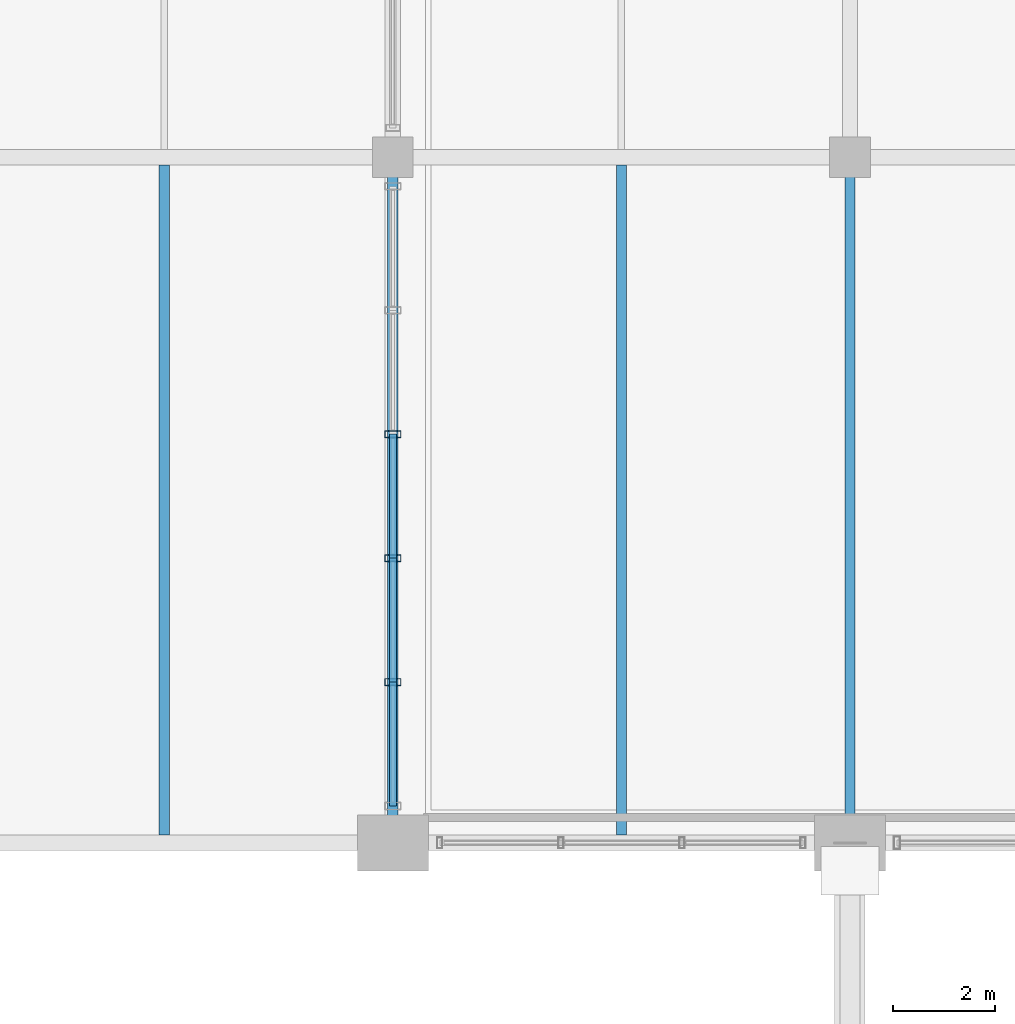
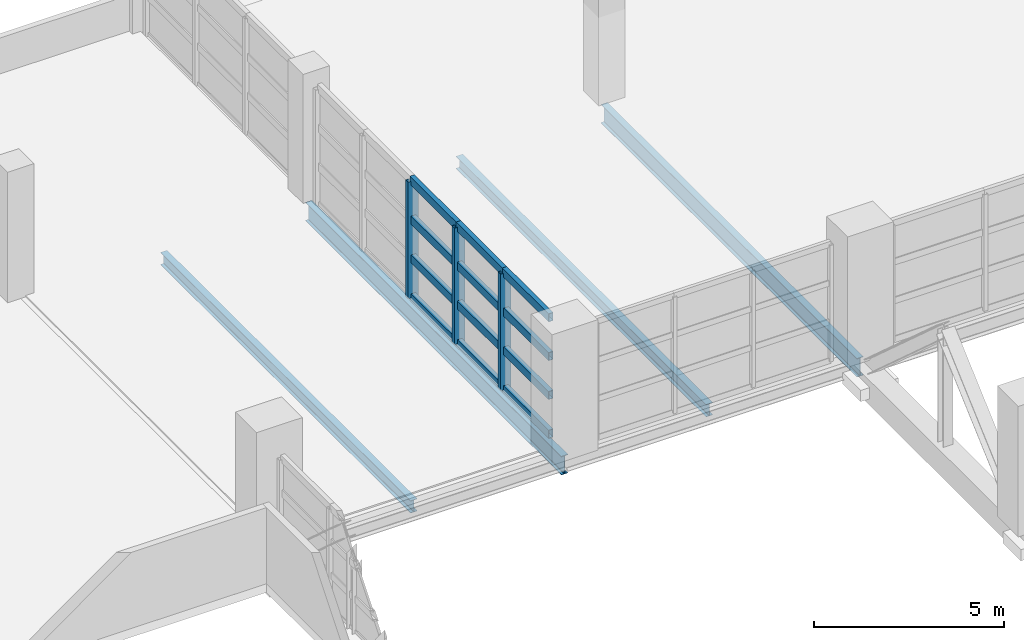
# One storey, part 53 of 136: 15 members, 4 beams, 1 element without a shape of its own.
"""IFC4 building model written with IfcOpenShell, lengths in metres."""

import ifcopenshell
import ifcopenshell.guid

model = None  # the IFC model being written
_history = None  # IfcOwnerHistory: only IFC2X3 demands one
_inside = {}  # id of a spatial element -> (the spatial element, [elements in it])
_under = {}  # id of a project, library or spatial element -> (it, [spatial elements below it])
_declared = {}  # id of a project -> (the project, [libraries it declares])
_typed = {}  # id of a type object -> (the type object, [elements of that type])
_made_of = {}  # id of a material, layer set ... -> (it, [elements and type objects made of it])


def new_model(schema):
    """Start an empty IFC model of exactly this schema.

    Asked for "IFC4X3", IfcOpenShell would pick the latest addendum, in which some entities
    have other attributes; the version numbers below select the first issue.
    IFC2X3 requires an IfcOwnerHistory on every rooted entity: one is made here for all.
    """
    global model, _history
    if schema == "IFC4X3":
        model = ifcopenshell.file(schema_version=(4, 3, 0, 0))
    else:
        model = ifcopenshell.file(schema=schema)
    _inside.clear()
    _under.clear()
    _declared.clear()
    _typed.clear()
    _made_of.clear()
    _history = None
    if model.schema == "IFC2X3":
        org = make("IfcOrganization", Name="unknown")
        user = make(
            "IfcPersonAndOrganization",
            ThePerson=make("IfcPerson", FamilyName="unknown"),
            TheOrganization=org,
        )
        app = make(
            "IfcApplication",
            ApplicationDeveloper=org,
            Version="unknown",
            ApplicationFullName="unknown",
            ApplicationIdentifier="unknown",
        )
        _history = make(
            "IfcOwnerHistory",
            OwningUser=user,
            OwningApplication=app,
            ChangeAction="ADDED",
            CreationDate=0,
        )
    return model


def make(cls, **values):
    """One entity of the class cls with the attributes given. An attribute that is None is left unset."""
    return model.create_entity(
        cls, **{name: value for name, value in values.items() if value is not None}
    )


def rooted(cls, **values):
    """An entity with a GlobalId (a new one), such as an element, a storey or a relation."""
    return make(cls, GlobalId=ifcopenshell.guid.new(), OwnerHistory=_history, **values)


def si_unit(unit_type, name, prefix=None):
    """IfcSIUnit, for example si_unit("LENGTHUNIT", "METRE", prefix="MILLI")."""
    return make("IfcSIUnit", UnitType=unit_type, Prefix=prefix, Name=name)


def assignment(units):
    """IfcUnitAssignment: the units of a project."""
    return None if units is None else make("IfcUnitAssignment", Units=units)


def point(xyz):
    """IfcCartesianPoint."""
    return None if xyz is None else make("IfcCartesianPoint", Coordinates=xyz)


def direction(xyz):
    """IfcDirection."""
    return None if xyz is None else make("IfcDirection", DirectionRatios=xyz)


def frame(location, z_axis=None, x_axis=None):
    """IfcAxis2Placement3D, a coordinate frame: its origin and axes. An axis left out is left unset."""
    return make(
        "IfcAxis2Placement3D",
        Location=point(location),
        Axis=direction(z_axis),
        RefDirection=direction(x_axis),
    )


def frame_2d(location, x_axis=None):
    """IfcAxis2Placement2D, a coordinate frame in the plane: its origin and x axis."""
    return make(
        "IfcAxis2Placement2D", Location=point(location), RefDirection=direction(x_axis)
    )


def origin():
    """The frame at (0, 0, 0) with its axes left unset."""
    return frame((0.0, 0.0, 0.0))


def origin_2d():
    """The frame at (0, 0) in the plane with its x axis left unset."""
    return frame_2d((0.0, 0.0))


def place(relative_to, where):
    """IfcLocalPlacement: puts the frame where relative to a parent placement (None: the world)."""
    return make(
        "IfcLocalPlacement", PlacementRelTo=relative_to, RelativePlacement=where
    )


def context(
    kind, dimensions, precision=None, world=None, true_north=None, identifier=None
):
    """IfcGeometricRepresentationContext, for example the 3D "Model" context."""
    return make(
        "IfcGeometricRepresentationContext",
        ContextIdentifier=identifier,
        ContextType=kind,
        CoordinateSpaceDimension=dimensions,
        Precision=precision,
        WorldCoordinateSystem=world,
        TrueNorth=true_north,
    )


def subcontext(parent, identifier, kind, view, scale=None):
    """IfcGeometricRepresentationSubContext, for example "Body" below "Model"."""
    return make(
        "IfcGeometricRepresentationSubContext",
        ContextIdentifier=identifier,
        ContextType=kind,
        ParentContext=parent,
        TargetScale=scale,
        TargetView=view,
    )


def project(units=None, contexts=None):
    """IfcProject with its units and contexts."""
    return rooted(
        "IfcProject",
        Name="project",
        RepresentationContexts=contexts,
        UnitsInContext=assignment(units),
    )


def spatial(cls, under=None, at=None, **own):
    """A site, building, storey or space (cls), placed at a placement, below another one or the project."""
    s = rooted(cls, ObjectPlacement=at, **own)
    if under is not None:
        _under.setdefault(under.id(), (under, []))[1].append(s)
    return s


def profile(cls, at=None, kind="AREA", **sizes):
    """A parametric profile (cls). Its sizes go by their IFC names, for example OverallWidth=200.0."""
    return make(cls, ProfileType=kind, Position=at, **sizes)


def hollow_rectangle(**sizes):
    """IfcRectangleHollowProfileDef."""
    return profile("IfcRectangleHollowProfileDef", **sizes)


def i_section(**sizes):
    """IfcIShapeProfileDef."""
    return profile("IfcIShapeProfileDef", **sizes)


def extrude(swept, where, along, depth):
    """IfcExtrudedAreaSolid: the profile swept, set in the frame where, extruded along a direction by depth."""
    return make(
        "IfcExtrudedAreaSolid",
        SweptArea=swept,
        Position=where,
        ExtrudedDirection=direction(along),
        Depth=depth,
    )


def shape(context_of_items, identifier, shape_type, items):
    """IfcShapeRepresentation: the items that make up one representation, for example the "Body"."""
    return make(
        "IfcShapeRepresentation",
        ContextOfItems=context_of_items,
        RepresentationIdentifier=identifier,
        RepresentationType=shape_type,
        Items=items,
    )


def material(Name=None, Category=None):
    """IfcMaterial."""
    return make("IfcMaterial", Name=Name, Category=Category)


def material_profile(
    of_material, cross_section, Name=None, Category=None, Priority=None
):
    """IfcMaterialProfile: a cross section and its material."""
    return make(
        "IfcMaterialProfile",
        Name=Name,
        Material=of_material,
        Profile=cross_section,
        Priority=Priority,
        Category=Category,
    )


def profile_set(profiles, Name=None, composite=None):
    """IfcMaterialProfileSet."""
    return make(
        "IfcMaterialProfileSet",
        Name=Name,
        MaterialProfiles=profiles,
        CompositeProfile=composite,
    )


def made_of(thing, what):
    """Note that an element or type object is made of a material, layer set ...; save() writes the relation."""
    if what is not None:
        _made_of.setdefault(what.id(), (what, []))[1].append(thing)
    return thing


def type_object(cls, material=None, **own):
    """A type object (cls), such as IfcWallType, which elements share."""
    return made_of(rooted(cls, **own), material)


def element(
    cls,
    number,
    at=None,
    inside=None,
    cuts=None,
    type_object=None,
    material=None,
    context=None,
    identifier="Body",
    shape_type=None,
    held_by="IfcProductDefinitionShape",
    body=None,
    shapes=None,
    **own,
):
    """One element of the class cls, such as IfcWall. Its Tag is "e" and its number.

    at: its placement. inside: the storey or other place that contains it. cuts: it is an
    opening in that element (IfcRelVoidsElement). A single representation is given by context,
    identifier, shape_type and body (its items); several are given by shapes. held_by: the class
    of the entity that holds the representations. save() writes the other relations.
    """
    e = rooted(cls, Tag="e%d" % number, ObjectPlacement=at, **own)
    if body is not None:
        shapes = [shape(context, identifier, shape_type, body)]
    if shapes is not None:
        e.Representation = make(held_by, Representations=shapes)
    if inside is not None:
        _inside.setdefault(inside.id(), (inside, []))[1].append(e)
    if cuts is not None:
        rooted(
            "IfcRelVoidsElement", RelatingBuildingElement=cuts, RelatedOpeningElement=e
        )
    if type_object is not None:
        _typed.setdefault(type_object.id(), (type_object, []))[1].append(e)
    return made_of(e, material)


def aggregate(whole, parts):
    """IfcRelAggregates: a whole, such as a stair, and the parts it consists of."""
    return rooted("IfcRelAggregates", RelatingObject=whole, RelatedObjects=parts)


def save(model, path):
    """Write the relations noted so far, then the file.

    IfcRelAggregates (storeys below a building ...), IfcRelContainedInSpatialStructure (elements
    in a storey), IfcRelDefinesByType, IfcRelAssociatesMaterial and IfcRelDeclares: one each for
    every whole, place, type object, material and project.
    """
    for whole, parts in _under.values():
        aggregate(whole, parts)
    for where, things in _inside.values():
        rooted(
            "IfcRelContainedInSpatialStructure",
            RelatedElements=things,
            RelatingStructure=where,
        )
    for kind, things in _typed.values():
        rooted("IfcRelDefinesByType", RelatedObjects=things, RelatingType=kind)
    for what, things in _made_of.values():
        rooted("IfcRelAssociatesMaterial", RelatedObjects=things, RelatingMaterial=what)
    for by, libraries in _declared.values():
        rooted("IfcRelDeclares", RelatingContext=by, RelatedDefinitions=libraries)
    model.write(path)


model = new_model("IFC4")

# Units and contexts
model_context = context("Model", 3, precision=1e-05, world=origin(), true_north=direction((0.0, 1.0)))
body_context = subcontext(model_context, "Body", "Model", "MODEL_VIEW")
ifc_project = project(units=[si_unit("LENGTHUNIT", "METRE"), si_unit("AREAUNIT", "SQUARE_METRE"), si_unit("VOLUMEUNIT", "CUBIC_METRE"), si_unit("PLANEANGLEUNIT", "RADIAN"), si_unit("MASSUNIT", "GRAM", prefix="KILO")], contexts=[model_context])

# Site, building, storey
site_placement = place(None, origin())
site = spatial("IfcSite", under=ifc_project, at=site_placement, CompositionType="ELEMENT")
building_placement = place(site_placement, origin())
building = spatial("IfcBuilding", under=site, at=building_placement, Name="Chuanluo Vaults Station", CompositionType="ELEMENT")
storey_placement = place(building_placement, frame((0.0, 0.0, 6.60009765625)))
storey = spatial("IfcBuildingStorey", under=building, at=storey_placement, Name="L01", CompositionType="ELEMENT", Elevation=6.60009765625)

# Beams
ifc_material_1 = material(Name="Steel Q355C", Category="steel")
ifc_material_profile_1 = material_profile(ifc_material_1, i_section(OverallWidth=0.199951171875, OverallDepth=0.60009765625, WebThickness=0.010986328125, FlangeThickness=0.01708984375, FilletRadius=0.01806640625, at=origin_2d()))
ifc_profile_set_1 = profile_set([ifc_material_profile_1], Name="Steel Q355C")
beam_type_1 = type_object("IfcBeamType", Name="BM-GRD-600", PredefinedType="USERDEFINED", material=ifc_profile_set_1)
for number, where, z_axis, x_axis, name in (
    (1, (117.0, 103.5, -0.56005859375), (0.0, 1.0, 0.0), (-1.0, 0.0, 0.0), "Floor girder BM:GY:L01:0450"),
    (2, (126.0, 103.5, -0.56005859375), (0.0, 1.0, 0.0), (-1.0, 0.0, 0.0), "Floor girder BM:GY:L01:0452"),
):
    element("IfcBeam", number, at=place(storey_placement, frame(where, z_axis=z_axis, x_axis=x_axis)), inside=storey, type_object=beam_type_1, Name=name, ObjectType="GIRDER", PredefinedType="USERDEFINED", context=body_context, shape_type="SweptSolid", body=[
        extrude(i_section(OverallWidth=0.199951171875, OverallDepth=0.60009765625, WebThickness=0.010986328125, FlangeThickness=0.01708984375, FilletRadius=0.01806640625, at=origin_2d()), origin(), (0.0, 0.0, 1.0), 13.5),
    ])
ifc_material_2 = material(Name="Steel Q355C", Category="steel")
ifc_material_profile_2 = material_profile(ifc_material_2, i_section(OverallWidth=0.199951171875, OverallDepth=0.39990234375, WebThickness=0.008056640625, FlangeThickness=0.012939453125, FilletRadius=0.01611328125, at=origin_2d()))
ifc_profile_set_2 = profile_set([ifc_material_profile_2], Name="Steel Q355C")
beam_type_2 = type_object("IfcBeamType", Name="BM-SEC-400", PredefinedType="BEAM", material=ifc_profile_set_2)
for number, where, z_axis, x_axis, name in (
    (3, (112.5, 103.655029296875, -0.405029296875), (0.0, 1.0, 0.0), (-1.0, 0.0, 0.0), "Composite secondary joist 0141"),
    (4, (121.5, 103.655029296875, -0.460205078125), (0.0, 1.0, 0.0), (-1.0, 0.0, 0.0), "Composite secondary joist 0143"),
):
    element("IfcBeam", number, at=place(storey_placement, frame(where, z_axis=z_axis, x_axis=x_axis)), inside=storey, type_object=beam_type_2, Name=name, PredefinedType="BEAM", context=body_context, shape_type="SweptSolid", body=[
        extrude(i_section(OverallWidth=0.199951171875, OverallDepth=0.39990234375, WebThickness=0.008056640625, FlangeThickness=0.012939453125, FilletRadius=0.01611328125, at=origin_2d()), origin(), (0.0, 0.0, 1.0), 13.18994140625),
    ])

# Curtain wall, members
ifc_material_3 = material(Name="Anodised aluminium 6063-T6", Category="aluminium")
curtain_wall_type = type_object("IfcCurtainWallType", Name="CW-SYS-17", PredefinedType="NOTDEFINED", material=ifc_material_3)
curtain_wall_placement = place(storey_placement, origin())
curtain_wall = element("IfcCurtainWall", 5, at=curtain_wall_placement, inside=storey, type_object=curtain_wall_type, Name="Operations L01 facade CW", PredefinedType="NOTDEFINED")
ifc_material_4 = material(Name="Anodised aluminium 6063-T6", Category="aluminium")
ifc_material_profile_3 = material_profile(ifc_material_4, hollow_rectangle(XDim=0.139892578125, YDim=0.320068359375, WallThickness=0.008056640625, at=origin_2d()))
ifc_profile_set_3 = profile_set([ifc_material_profile_3], Name="Anodised aluminium 6063-T6")
member_type_1 = type_object("IfcMemberType", Name="CWM-220", PredefinedType="MULLION", material=ifc_profile_set_3)
member_1_placement = place(storey_placement, frame((117.0, 106.6650390625, 0.0), z_axis=(0.0, 0.0, 1.0), x_axis=(0.0, 1.0, 0.0)))
member_1 = element("IfcMember", 6, at=member_1_placement, type_object=member_type_1, Name="Operations L01 facade CW mullion 2", PredefinedType="MULLION", context=body_context, shape_type="SweptSolid", body=[
    extrude(hollow_rectangle(XDim=0.139892578125, YDim=0.320068359375, WallThickness=0.008056640625, at=origin_2d()), origin(), (0.0, 0.0, 1.0), 3.75),
])
member_2_placement = place(storey_placement, frame((117.0, 109.10498046875, 0.0), z_axis=(0.0, 0.0, 1.0), x_axis=(0.0, 1.0, 0.0)))
member_2 = element("IfcMember", 7, at=member_2_placement, type_object=member_type_1, Name="Operations L01 facade CW mullion 3", PredefinedType="MULLION", context=body_context, shape_type="SweptSolid", body=[
    extrude(hollow_rectangle(XDim=0.139892578125, YDim=0.320068359375, WallThickness=0.008056640625, at=origin_2d()), origin(), (0.0, 0.0, 1.0), 3.75),
])
member_3_placement = place(storey_placement, frame((117.0, 111.544921875, 0.0), z_axis=(0.0, 0.0, 1.0), x_axis=(0.0, 1.0, 0.0)))
member_3 = element("IfcMember", 8, at=member_3_placement, type_object=member_type_1, Name="Operations L01 facade CW mullion 4", PredefinedType="MULLION", context=body_context, shape_type="SweptSolid", body=[
    extrude(hollow_rectangle(XDim=0.139892578125, YDim=0.320068359375, WallThickness=0.008056640625, at=origin_2d()), origin(), (0.0, 0.0, 1.0), 3.75),
])
ifc_material_5 = material(Name="Anodised aluminium 6063-T6", Category="aluminium")
ifc_material_profile_4 = material_profile(ifc_material_5, hollow_rectangle(XDim=0.139892578125, YDim=0.260009765625, WallThickness=0.007080078125, at=origin_2d()))
ifc_profile_set_4 = profile_set([ifc_material_profile_4], Name="Anodised aluminium 6063-T6")
member_type_2 = type_object("IfcMemberType", Name="CWT-180", PredefinedType="USERDEFINED", material=ifc_profile_set_4)
member_4_placement = place(storey_placement, frame((117.0, 104.22509765625, 0.0), z_axis=(0.0, 1.0, 0.0), x_axis=(-1.0, 0.0, 0.0)))
member_4 = element("IfcMember", 9, at=member_4_placement, type_object=member_type_2, Name="Operations L01 facade CW transom 1.1", ObjectType="TRANSOM", PredefinedType="USERDEFINED", context=body_context, shape_type="SweptSolid", body=[
    extrude(hollow_rectangle(XDim=0.139892578125, YDim=0.260009765625, WallThickness=0.007080078125, at=origin_2d()), origin(), (0.0, 0.0, 1.0), 2.43994140625),
])
member_5_placement = place(storey_placement, frame((117.0, 104.22509765625, 1.25), z_axis=(0.0, 1.0, 0.0), x_axis=(-1.0, 0.0, 0.0)))
member_5 = element("IfcMember", 10, at=member_5_placement, type_object=member_type_2, Name="Operations L01 facade CW transom 1.2", ObjectType="TRANSOM", PredefinedType="USERDEFINED", context=body_context, shape_type="SweptSolid", body=[
    extrude(hollow_rectangle(XDim=0.139892578125, YDim=0.260009765625, WallThickness=0.007080078125, at=origin_2d()), origin(), (0.0, 0.0, 1.0), 2.43994140625),
])
member_6_placement = place(storey_placement, frame((117.0, 104.22509765625, 2.5), z_axis=(0.0, 1.0, 0.0), x_axis=(-1.0, 0.0, 0.0)))
member_6 = element("IfcMember", 11, at=member_6_placement, type_object=member_type_2, Name="Operations L01 facade CW transom 1.3", ObjectType="TRANSOM", PredefinedType="USERDEFINED", context=body_context, shape_type="SweptSolid", body=[
    extrude(hollow_rectangle(XDim=0.139892578125, YDim=0.260009765625, WallThickness=0.007080078125, at=origin_2d()), origin(), (0.0, 0.0, 1.0), 2.43994140625),
])
member_7_placement = place(storey_placement, frame((117.0, 104.22509765625, 3.75), z_axis=(0.0, 1.0, 0.0), x_axis=(-1.0, 0.0, 0.0)))
member_7 = element("IfcMember", 12, at=member_7_placement, type_object=member_type_2, Name="Operations L01 facade CW transom 1.4", ObjectType="TRANSOM", PredefinedType="USERDEFINED", context=body_context, shape_type="SweptSolid", body=[
    extrude(hollow_rectangle(XDim=0.139892578125, YDim=0.260009765625, WallThickness=0.007080078125, at=origin_2d()), origin(), (0.0, 0.0, 1.0), 2.43994140625),
])
member_8_placement = place(storey_placement, frame((117.0, 106.6650390625, 0.0), z_axis=(0.0, 1.0, 0.0), x_axis=(-1.0, 0.0, 0.0)))
member_8 = element("IfcMember", 13, at=member_8_placement, type_object=member_type_2, Name="Operations L01 facade CW transom 2.1", ObjectType="TRANSOM", PredefinedType="USERDEFINED", context=body_context, shape_type="SweptSolid", body=[
    extrude(hollow_rectangle(XDim=0.139892578125, YDim=0.260009765625, WallThickness=0.007080078125, at=origin_2d()), origin(), (0.0, 0.0, 1.0), 2.43994140625),
])
member_9_placement = place(storey_placement, frame((117.0, 106.6650390625, 1.25), z_axis=(0.0, 1.0, 0.0), x_axis=(-1.0, 0.0, 0.0)))
member_9 = element("IfcMember", 14, at=member_9_placement, type_object=member_type_2, Name="Operations L01 facade CW transom 2.2", ObjectType="TRANSOM", PredefinedType="USERDEFINED", context=body_context, shape_type="SweptSolid", body=[
    extrude(hollow_rectangle(XDim=0.139892578125, YDim=0.260009765625, WallThickness=0.007080078125, at=origin_2d()), origin(), (0.0, 0.0, 1.0), 2.43994140625),
])
member_10_placement = place(storey_placement, frame((117.0, 106.6650390625, 2.5), z_axis=(0.0, 1.0, 0.0), x_axis=(-1.0, 0.0, 0.0)))
member_10 = element("IfcMember", 15, at=member_10_placement, type_object=member_type_2, Name="Operations L01 facade CW transom 2.3", ObjectType="TRANSOM", PredefinedType="USERDEFINED", context=body_context, shape_type="SweptSolid", body=[
    extrude(hollow_rectangle(XDim=0.139892578125, YDim=0.260009765625, WallThickness=0.007080078125, at=origin_2d()), origin(), (0.0, 0.0, 1.0), 2.43994140625),
])
member_11_placement = place(storey_placement, frame((117.0, 106.6650390625, 3.75), z_axis=(0.0, 1.0, 0.0), x_axis=(-1.0, 0.0, 0.0)))
member_11 = element("IfcMember", 16, at=member_11_placement, type_object=member_type_2, Name="Operations L01 facade CW transom 2.4", ObjectType="TRANSOM", PredefinedType="USERDEFINED", context=body_context, shape_type="SweptSolid", body=[
    extrude(hollow_rectangle(XDim=0.139892578125, YDim=0.260009765625, WallThickness=0.007080078125, at=origin_2d()), origin(), (0.0, 0.0, 1.0), 2.43994140625),
])
member_12_placement = place(storey_placement, frame((117.0, 109.10498046875, 0.0), z_axis=(0.0, 1.0, 0.0), x_axis=(-1.0, 0.0, 0.0)))
member_12 = element("IfcMember", 17, at=member_12_placement, type_object=member_type_2, Name="Operations L01 facade CW transom 3.1", ObjectType="TRANSOM", PredefinedType="USERDEFINED", context=body_context, shape_type="SweptSolid", body=[
    extrude(hollow_rectangle(XDim=0.139892578125, YDim=0.260009765625, WallThickness=0.007080078125, at=origin_2d()), origin(), (0.0, 0.0, 1.0), 2.43994140625),
])
member_13_placement = place(storey_placement, frame((117.0, 109.10498046875, 1.25), z_axis=(0.0, 1.0, 0.0), x_axis=(-1.0, 0.0, 0.0)))
member_13 = element("IfcMember", 18, at=member_13_placement, type_object=member_type_2, Name="Operations L01 facade CW transom 3.2", ObjectType="TRANSOM", PredefinedType="USERDEFINED", context=body_context, shape_type="SweptSolid", body=[
    extrude(hollow_rectangle(XDim=0.139892578125, YDim=0.260009765625, WallThickness=0.007080078125, at=origin_2d()), origin(), (0.0, 0.0, 1.0), 2.43994140625),
])
member_14_placement = place(storey_placement, frame((117.0, 109.10498046875, 2.5), z_axis=(0.0, 1.0, 0.0), x_axis=(-1.0, 0.0, 0.0)))
member_14 = element("IfcMember", 19, at=member_14_placement, type_object=member_type_2, Name="Operations L01 facade CW transom 3.3", ObjectType="TRANSOM", PredefinedType="USERDEFINED", context=body_context, shape_type="SweptSolid", body=[
    extrude(hollow_rectangle(XDim=0.139892578125, YDim=0.260009765625, WallThickness=0.007080078125, at=origin_2d()), origin(), (0.0, 0.0, 1.0), 2.43994140625),
])
member_15_placement = place(storey_placement, frame((117.0, 109.10498046875, 3.75), z_axis=(0.0, 1.0, 0.0), x_axis=(-1.0, 0.0, 0.0)))
member_15 = element("IfcMember", 20, at=member_15_placement, type_object=member_type_2, Name="Operations L01 facade CW transom 3.4", ObjectType="TRANSOM", PredefinedType="USERDEFINED", context=body_context, shape_type="SweptSolid", body=[
    extrude(hollow_rectangle(XDim=0.139892578125, YDim=0.260009765625, WallThickness=0.007080078125, at=origin_2d()), origin(), (0.0, 0.0, 1.0), 2.43994140625),
])
aggregate(curtain_wall, [member_1, member_2, member_3, member_4, member_5, member_6, member_7, member_8, member_9, member_10, member_11, member_12, member_13, member_14, member_15])

save(model, "model.ifc")
